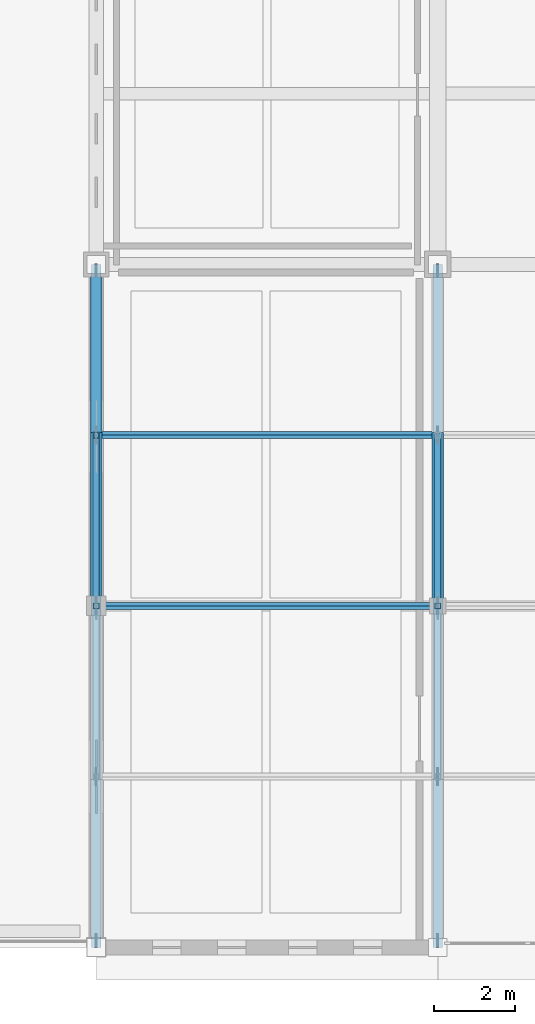
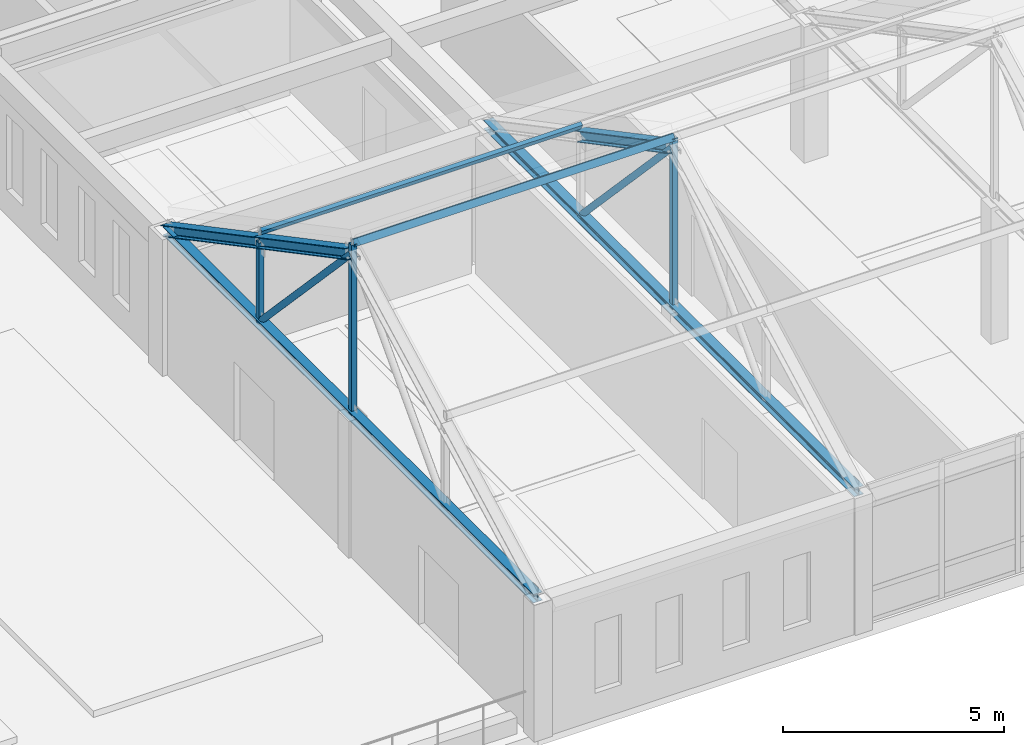
# One storey, part 3 of 47: 12 members.
"""IFC4 building model written with IfcOpenShell, lengths in metres."""

from ifc_helpers import new_model, si_unit, direction, frame, origin, origin_2d, place, context, subcontext, project, spatial, hollow_rectangle, hollow_circle, i_section, extrude, material, material_profile, profile_set, type_object, element, save


model = new_model("IFC4")

# Units and contexts
model_context = context("Model", 3, precision=1e-05, world=origin(), true_north=direction((0.0, 1.0)))
body_context = subcontext(model_context, "Body", "Model", "MODEL_VIEW")
ifc_project = project(units=[si_unit("LENGTHUNIT", "METRE"), si_unit("AREAUNIT", "SQUARE_METRE"), si_unit("VOLUMEUNIT", "CUBIC_METRE"), si_unit("PLANEANGLEUNIT", "RADIAN"), si_unit("MASSUNIT", "GRAM", prefix="KILO")], contexts=[model_context])

# Site, building, storey
site_placement = place(None, origin())
site = spatial("IfcSite", under=ifc_project, at=site_placement, CompositionType="ELEMENT")
building_placement = place(site_placement, origin())
building = spatial("IfcBuilding", under=site, at=building_placement, Name="Kveldsbrygga Polytechnic", CompositionType="ELEMENT")
storey_placement = place(building_placement, frame((0.0, 0.0, 13.93994140625)))
storey = spatial("IfcBuildingStorey", under=building, at=storey_placement, Name="L03", CompositionType="ELEMENT", Elevation=13.93994140625)

# Members
ifc_material = material(Name="Steel S355", Category="steel")
ifc_material_profile_1 = material_profile(ifc_material, hollow_circle(Radius=0.084228515625, WallThickness=0.010009765625, at=origin_2d()), Name="CHS 168.3x10.0")
ifc_profile_set_1 = profile_set([ifc_material_profile_1], Name="Steel S355")
member_type_1 = type_object("IfcMemberType", Name="BR-WIND-CHS168", PredefinedType="BRACE", material=ifc_profile_set_1)
for number, where, z_axis, x_axis, name in (
    (1, (126.0, 8.39990234375, 8.22998046875), (0.0, 0.68640442101, -0.727220029165), (-1.0, 0.0, 0.0), "Truss Diagonal V4S4-T01-DG-3"),
    (2, (134.39990234375, 8.39990234375, 8.22998046875), (0.0, 0.68640442101, -0.727220029165), (-1.0, 0.0, 0.0), "Truss Diagonal V4S4-T02-DG-3"),
):
    element("IfcMember", number, at=place(storey_placement, frame(where, z_axis=z_axis, x_axis=x_axis)), inside=storey, type_object=member_type_1, Name=name, PredefinedType="BRACE", context=body_context, shape_type="SweptSolid", body=[
        extrude(hollow_circle(Radius=0.084228515625, WallThickness=0.010009765625, at=origin_2d()), origin(), (0.0, 0.0, 1.0), 6.119140625),
    ])
ifc_material_profile_2 = material_profile(ifc_material, hollow_rectangle(XDim=0.10009765625, YDim=0.179931640625, WallThickness=0.008056640625, at=origin_2d()), Name="RHS 180x100x8.0")
ifc_profile_set_2 = profile_set([ifc_material_profile_2], Name="Steel S355")
member_type_2 = type_object("IfcMemberType", Name="PRL-RHS180", PredefinedType="PURLIN", material=ifc_profile_set_2)
for number, where, z_axis, x_axis, name in (
    (3, (126.0, 8.39990234375, 8.490234375), (1.0, 0.0, 0.0), (0.0, 0.883660254474, -0.468128779998), "Roof Purlin V4S4-PRL-1-2"),
    (4, (126.0, 12.60009765625, 6.265380859375), (1.0, 0.0, 0.0), (0.0, 0.883660254474, 0.468128779998), "Roof Purlin V4S4-PRL-1-3"),
):
    element("IfcMember", number, at=place(storey_placement, frame(where, z_axis=z_axis, x_axis=x_axis)), inside=storey, type_object=member_type_2, Name=name, PredefinedType="PURLIN", context=body_context, shape_type="SweptSolid", body=[
        extrude(hollow_rectangle(XDim=0.10009765625, YDim=0.179931640625, WallThickness=0.008056640625, at=origin_2d()), origin(), (0.0, 0.0, 1.0), 8.39990234375),
    ])
ifc_material_profile_3 = material_profile(ifc_material, i_section(OverallWidth=0.239990234375, OverallDepth=0.239990234375, WebThickness=0.010009765625, FlangeThickness=0.01708984375, FilletRadius=0.02099609375, at=origin_2d()), Name="HEB 240")
ifc_profile_set_3 = profile_set([ifc_material_profile_3], Name="Steel S355")
member_type_3 = type_object("IfcMemberType", Name="TR-BOT-HEB240", PredefinedType="CHORD", material=ifc_profile_set_3)
for number, where, z_axis, x_axis, name in (
    (5, (126.0, 0.0, 3.780029296875), (0.0, 1.0, 0.0), (-1.0, 0.0, 0.0), "Truss Bottom Chord V4S4-T01-BC-1"),
    (6, (134.39990234375, 0.0, 3.780029296875), (0.0, 1.0, 0.0), (-1.0, 0.0, 0.0), "Truss Bottom Chord V4S4-T02-BC-1"),
):
    element("IfcMember", number, at=place(storey_placement, frame(where, z_axis=z_axis, x_axis=x_axis)), inside=storey, type_object=member_type_3, Name=name, PredefinedType="CHORD", context=body_context, shape_type="SweptSolid", body=[
        extrude(i_section(OverallWidth=0.239990234375, OverallDepth=0.239990234375, WebThickness=0.010009765625, FlangeThickness=0.01708984375, FilletRadius=0.02099609375, at=origin_2d()), origin(), (0.0, 0.0, 1.0), 16.800048828125),
    ])
ifc_material_profile_4 = material_profile(ifc_material, hollow_rectangle(XDim=0.139892578125, YDim=0.139892578125, WallThickness=0.008056640625, at=origin_2d()), Name="SHS 140x140x8.0")
ifc_profile_set_4 = profile_set([ifc_material_profile_4], Name="Steel S355")
member_type_4 = type_object("IfcMemberType", Name="TR-POST-SHS140", PredefinedType="STRUT", material=ifc_profile_set_4)
member_1_placement = place(storey_placement, frame((126.0, 8.39990234375, 3.780029296875), z_axis=(0.0, 0.0, 1.0), x_axis=(1.0, 0.0, 0.0)))
element("IfcMember", 7, at=member_1_placement, inside=storey, type_object=member_type_4, Name="Truss Vertical V4S4-T01-VT-2", PredefinedType="STRUT", context=body_context, shape_type="SweptSolid", body=[
    extrude(hollow_rectangle(XDim=0.139892578125, YDim=0.139892578125, WallThickness=0.008056640625, at=origin_2d()), origin(), (0.0, 0.0, 1.0), 4.710205078125),
])
member_2_placement = place(storey_placement, frame((126.0, 12.60009765625, 3.780029296875), z_axis=(0.0, 0.0, 1.0), x_axis=(1.0, 0.0, 0.0)))
element("IfcMember", 8, at=member_2_placement, inside=storey, type_object=member_type_4, Name="Truss Vertical V4S4-T01-VT-3", PredefinedType="STRUT", context=body_context, shape_type="SweptSolid", body=[
    extrude(hollow_rectangle(XDim=0.139892578125, YDim=0.139892578125, WallThickness=0.008056640625, at=origin_2d()), origin(), (0.0, 0.0, 1.0), 2.22509765625),
])
member_3_placement = place(storey_placement, frame((134.39990234375, 8.39990234375, 3.780029296875), z_axis=(0.0, 0.0, 1.0), x_axis=(1.0, 0.0, 0.0)))
element("IfcMember", 9, at=member_3_placement, inside=storey, type_object=member_type_4, Name="Truss Vertical V4S4-T02-VT-2", PredefinedType="STRUT", context=body_context, shape_type="SweptSolid", body=[
    extrude(hollow_rectangle(XDim=0.139892578125, YDim=0.139892578125, WallThickness=0.008056640625, at=origin_2d()), origin(), (0.0, 0.0, 1.0), 4.710205078125),
])
ifc_material_profile_5 = material_profile(ifc_material, i_section(OverallWidth=0.280029296875, OverallDepth=0.280029296875, WebThickness=0.010498046875, FlangeThickness=0.01806640625, FilletRadius=0.02392578125, at=origin_2d()), Name="HEB 280")
ifc_profile_set_5 = profile_set([ifc_material_profile_5], Name="Steel S355")
member_type_5 = type_object("IfcMemberType", Name="TR-TOP-HEB280", PredefinedType="CHORD", material=ifc_profile_set_5)
member_4_placement = place(storey_placement, frame((126.0, 8.39990234375, 8.22998046875), z_axis=(0.0, 0.883681693185, -0.468088309114), x_axis=(-1.0, 0.0, 0.0)))
element("IfcMember", 10, at=member_4_placement, inside=storey, type_object=member_type_5, Name="Truss Top Chord V4S4-T01-TC-3", PredefinedType="CHORD", context=body_context, shape_type="SweptSolid", body=[
    extrude(i_section(OverallWidth=0.280029296875, OverallDepth=0.280029296875, WebThickness=0.010498046875, FlangeThickness=0.01806640625, FilletRadius=0.02392578125, at=origin_2d()), origin(), (0.0, 0.0, 1.0), 4.753173828125),
])
member_5_placement = place(storey_placement, frame((126.0, 12.60009765625, 6.005126953125), z_axis=(0.0, 0.883649189339, -0.468149666432), x_axis=(-1.0, 0.0, 0.0)))
element("IfcMember", 11, at=member_5_placement, inside=storey, type_object=member_type_5, Name="Truss Top Chord V4S4-T01-TC-4", PredefinedType="CHORD", context=body_context, shape_type="SweptSolid", body=[
    extrude(i_section(OverallWidth=0.280029296875, OverallDepth=0.280029296875, WebThickness=0.010498046875, FlangeThickness=0.01806640625, FilletRadius=0.02392578125, at=origin_2d()), origin(), (0.0, 0.0, 1.0), 4.7529296875),
])
member_6_placement = place(storey_placement, frame((134.39990234375, 8.39990234375, 8.22998046875), z_axis=(0.0, 0.883681693185, -0.468088309114), x_axis=(-1.0, 0.0, 0.0)))
element("IfcMember", 12, at=member_6_placement, inside=storey, type_object=member_type_5, Name="Truss Top Chord V4S4-T02-TC-3", PredefinedType="CHORD", context=body_context, shape_type="SweptSolid", body=[
    extrude(i_section(OverallWidth=0.280029296875, OverallDepth=0.280029296875, WebThickness=0.010498046875, FlangeThickness=0.01806640625, FilletRadius=0.02392578125, at=origin_2d()), origin(), (0.0, 0.0, 1.0), 4.753173828125),
])

save(model, "model.ifc")
